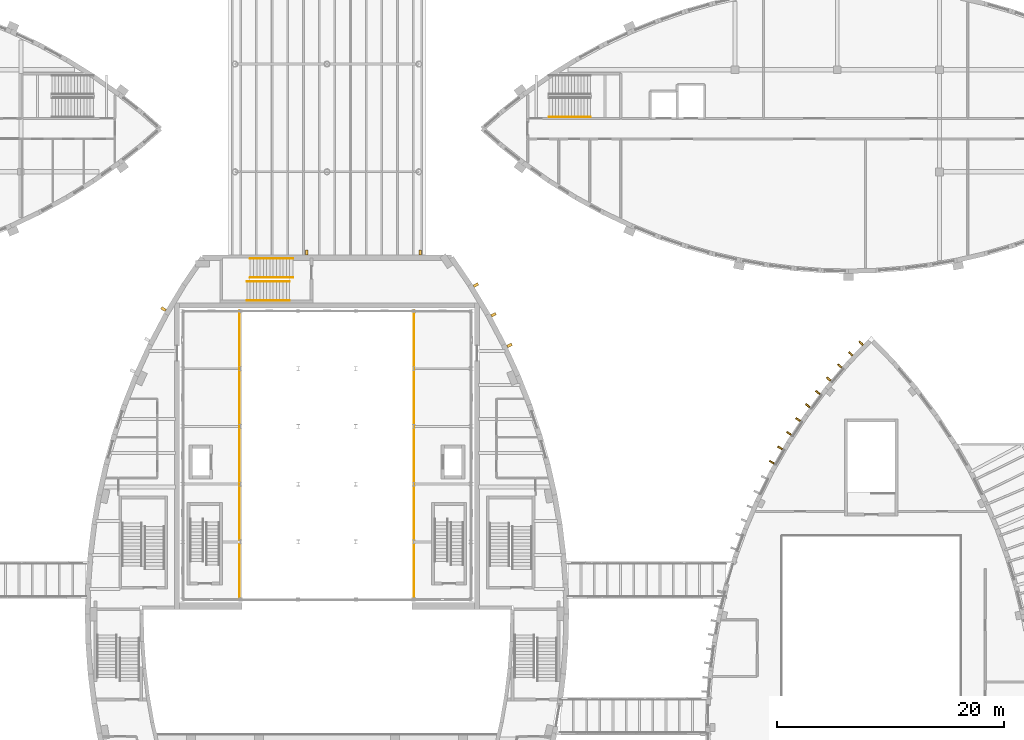
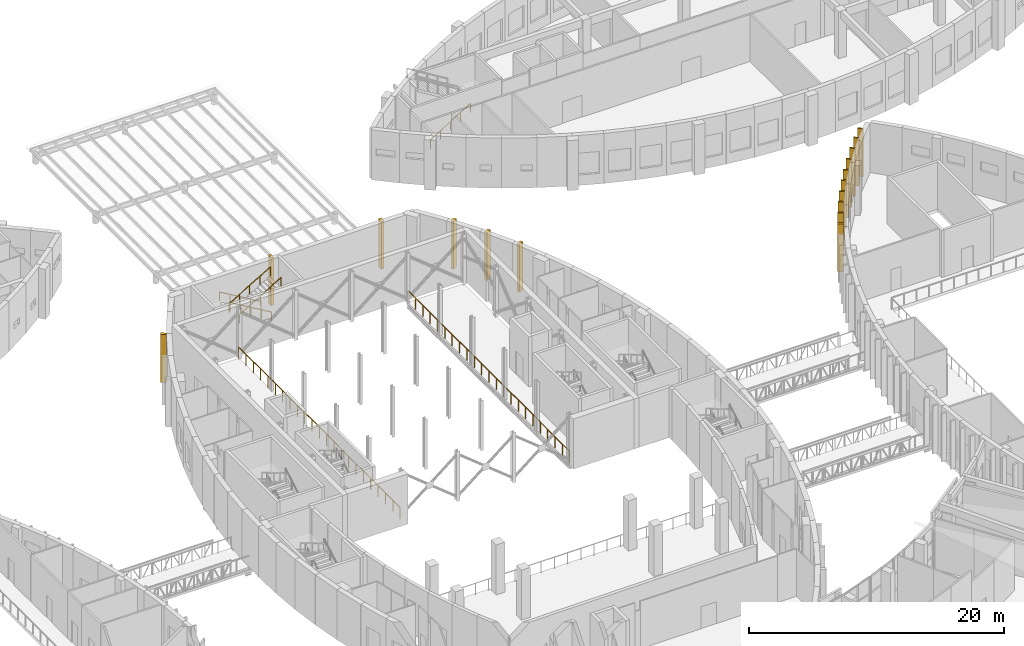
# One storey, part 91 of 93: 16 shading devices, 7 railings.
"""IFC4 building model written with IfcOpenShell, lengths in metres."""

from ifc_helpers import new_model, si_unit, direction, frame, origin, origin_2d, place, context, subcontext, project, spatial, rectangle, circle, extrude, material, layer, layer_set, type_object, element, save


model = new_model("IFC4")

# Units and contexts
model_context = context("Model", 3, precision=1e-05, world=origin(), true_north=direction((0.0, 1.0)))
body_context = subcontext(model_context, "Body", "Model", "MODEL_VIEW")
ifc_project = project(units=[si_unit("LENGTHUNIT", "METRE"), si_unit("AREAUNIT", "SQUARE_METRE"), si_unit("VOLUMEUNIT", "CUBIC_METRE"), si_unit("PLANEANGLEUNIT", "RADIAN"), si_unit("MASSUNIT", "GRAM", prefix="KILO")], contexts=[model_context])

# Site, building, storey
site_placement = place(None, origin())
site = spatial("IfcSite", under=ifc_project, at=site_placement, CompositionType="ELEMENT")
building_placement = place(site_placement, origin())
building = spatial("IfcBuilding", under=site, at=building_placement, Name="Tide Square Theatres", CompositionType="ELEMENT")
storey_placement = place(building_placement, frame((0.0, 0.0, 5.39990234375)))
storey = spatial("IfcBuildingStorey", under=building, at=storey_placement, Name="L01", CompositionType="ELEMENT", Elevation=5.39990234375)

# Shading devices
ifc_material_1 = material(Name="Concrete C40", Category="concrete")
ifc_layer = layer(ifc_material_1, 0.14990234375)
ifc_layer_set = layer_set([ifc_layer], Name="Concrete C40")
shading_device_type = type_object("IfcShadingDeviceType", Name="Concrete fin 450", PredefinedType="USERDEFINED", material=ifc_layer_set)
for number, where, z_axis, x_axis, name in (
    (1, (100.101318359375, 78.6943359375, 0.0), (0.0, 0.0, 1.0), (-0.416344267901, 0.90920704495, 0.0), "Concrete fin"),
    (2, (98.693603515625, 81.395751953125, 0.0), (0.0, 0.0, 1.0), (-0.466757131825, 0.884385538038, 0.0), "Concrete fin"),
    (3, (97.13671875, 84.013671875, 0.0), (0.0, 0.0, 1.0), (-0.515681226646, 0.856780527606, 0.0), "Concrete fin"),
    (4, (92.22412109375, 86.867431640625, 0.0), (0.0, 0.0, 1.0), (-1.0, 0.0, 0.0), "Concrete fin"),
    (5, (82.22412109375, 86.867431640625, 0.0), (0.0, 0.0, 1.0), (-1.0, 0.0, 0.0), "Concrete fin"),
    (6, (69.5849609375, 81.8896484375, 0.0), (0.0, 0.0, 1.0), (-0.515681226646, -0.856780527606, 0.0), "Concrete fin"),
):
    element("IfcShadingDevice", number, at=place(storey_placement, frame(where, z_axis=z_axis, x_axis=x_axis)), inside=storey, type_object=shading_device_type, Name=name, ObjectType="BRISE-SOLEIL FIN", PredefinedType="USERDEFINED", context=body_context, shape_type="SweptSolid", body=[
        extrude(rectangle(XDim=0.25, YDim=0.449951171875, at=origin_2d()), origin(), (0.0, 0.0, 1.0), 4.60009765625),
    ])
for number, where, z_axis, x_axis, name in (
    (7, (131.095458984375, 78.890869140625, 0.0), (0.0, 0.0, 1.0), (-0.696351345115, -0.717701054867, 0.0), "Concrete fin"),
    (8, (130.183349609375, 77.95068359375, 0.0), (0.0, 0.0, 1.0), (-0.696351345115, -0.717701054867, 0.0), "Concrete fin"),
    (9, (129.21044921875, 76.87744140625, 0.0), (0.0, 0.0, 1.0), (-0.649434776644, -0.760417300491, 0.0), "Concrete fin"),
    (10, (128.22998046875, 75.7294921875, 0.0), (0.0, 0.0, 1.0), (-0.649434776644, -0.760417300491, 0.0), "Concrete fin"),
    (11, (127.277099609375, 74.541748046875, 0.0), (0.0, 0.0, 1.0), (-0.600769096416, -0.799422599625, 0.0), "Concrete fin"),
    (12, (126.400390625, 73.375, 0.0), (0.0, 0.0, 1.0), (-0.600769096416, -0.799422599625, 0.0), "Concrete fin"),
    (13, (125.537841796875, 72.151123046875, 0.0), (0.0, 0.0, 1.0), (-0.550611870889, -0.834761383652, 0.0), "Concrete fin"),
    (14, (124.734130859375, 70.9326171875, 0.0), (0.0, 0.0, 1.0), (-0.550611870889, -0.834761383652, 0.0), "Concrete fin"),
    (15, (123.948486328125, 69.658203125, 0.0), (0.0, 0.0, 1.0), (-0.498442348463, -0.866922848504, 0.0), "Concrete fin"),
    (16, (123.220947265625, 68.392578125, 0.0), (0.0, 0.0, 1.0), (-0.498442348463, -0.866922848504, 0.0), "Concrete fin"),
):
    element("IfcShadingDevice", number, at=place(storey_placement, frame(where, z_axis=z_axis, x_axis=x_axis)), inside=storey, type_object=shading_device_type, Name=name, ObjectType="BRISE-SOLEIL FIN", PredefinedType="USERDEFINED", context=body_context, shape_type="SweptSolid", body=[
        extrude(rectangle(XDim=0.14990234375, YDim=0.449951171875, at=origin_2d()), origin(), (0.0, 0.0, 1.0), 4.60009765625),
    ])

# Railings
ifc_material_2 = material(Name="Painted steel", Category="steel")
railing_type_1 = type_object("IfcRailingType", Name="Steel guard 1100", PredefinedType="GUARDRAIL", material=ifc_material_2)
railing_1_placement = place(storey_placement, frame((76.3056640625, 56.3359375, 0.0)))
element("IfcRailing", 17, at=railing_1_placement, inside=storey, type_object=railing_type_1, Name="Fly gallery 01 west guard", PredefinedType="GUARDRAIL", context=body_context, shape_type="SweptSolid", body=[
    extrude(circle(Radius=0.02490234375, at=origin_2d()), frame((0.0, 0.0, 1.0751953125), z_axis=(0.0, 1.0, 0.0), x_axis=(-1.0, 0.0, 0.0)), (0.0, 0.0, 1.0), 25.38818359375),
    extrude(circle(Radius=0.02001953125, at=origin_2d()), origin(), (0.0, 0.0, 1.0), 1.050048828125),
    extrude(circle(Radius=0.02001953125, at=origin_2d()), frame((0.0, 1.154052734375, 0.0)), (0.0, 0.0, 1.0), 1.050048828125),
    extrude(circle(Radius=0.02001953125, at=origin_2d()), frame((0.0, 2.30810546875, 0.0)), (0.0, 0.0, 1.0), 1.050048828125),
    extrude(circle(Radius=0.02001953125, at=origin_2d()), frame((0.0, 3.4619140625, 0.0)), (0.0, 0.0, 1.0), 1.050048828125),
    extrude(circle(Radius=0.02001953125, at=origin_2d()), frame((0.0, 4.615966796875, 0.0)), (0.0, 0.0, 1.0), 1.050048828125),
    extrude(circle(Radius=0.02001953125, at=origin_2d()), frame((0.0, 5.77001953125, 0.0)), (0.0, 0.0, 1.0), 1.050048828125),
    extrude(circle(Radius=0.02001953125, at=origin_2d()), frame((0.0, 6.924072265625, 0.0)), (0.0, 0.0, 1.0), 1.050048828125),
    extrude(circle(Radius=0.02001953125, at=origin_2d()), frame((0.0, 8.078125, 0.0)), (0.0, 0.0, 1.0), 1.050048828125),
    extrude(circle(Radius=0.02001953125, at=origin_2d()), frame((0.0, 9.232177734375, 0.0)), (0.0, 0.0, 1.0), 1.050048828125),
    extrude(circle(Radius=0.02001953125, at=origin_2d()), frame((0.0, 10.385986328125, 0.0)), (0.0, 0.0, 1.0), 1.050048828125),
    extrude(circle(Radius=0.02001953125, at=origin_2d()), frame((0.0, 11.5400390625, 0.0)), (0.0, 0.0, 1.0), 1.050048828125),
    extrude(circle(Radius=0.02001953125, at=origin_2d()), frame((0.0, 12.694091796875, 0.0)), (0.0, 0.0, 1.0), 1.050048828125),
    extrude(circle(Radius=0.02001953125, at=origin_2d()), frame((0.0, 13.84814453125, 0.0)), (0.0, 0.0, 1.0), 1.050048828125),
    extrude(circle(Radius=0.02001953125, at=origin_2d()), frame((0.0, 15.002197265625, 0.0)), (0.0, 0.0, 1.0), 1.050048828125),
    extrude(circle(Radius=0.02001953125, at=origin_2d()), frame((0.0, 16.156005859375, 0.0)), (0.0, 0.0, 1.0), 1.050048828125),
    extrude(circle(Radius=0.02001953125, at=origin_2d()), frame((0.0, 17.31005859375, 0.0)), (0.0, 0.0, 1.0), 1.050048828125),
    extrude(circle(Radius=0.02001953125, at=origin_2d()), frame((0.0, 18.464111328125, 0.0)), (0.0, 0.0, 1.0), 1.050048828125),
    extrude(circle(Radius=0.02001953125, at=origin_2d()), frame((0.0, 19.6181640625, 0.0)), (0.0, 0.0, 1.0), 1.050048828125),
    extrude(circle(Radius=0.02001953125, at=origin_2d()), frame((0.0, 20.772216796875, 0.0)), (0.0, 0.0, 1.0), 1.050048828125),
    extrude(circle(Radius=0.02001953125, at=origin_2d()), frame((0.0, 21.92626953125, 0.0)), (0.0, 0.0, 1.0), 1.050048828125),
    extrude(circle(Radius=0.02001953125, at=origin_2d()), frame((0.0, 23.080078125, 0.0)), (0.0, 0.0, 1.0), 1.050048828125),
    extrude(circle(Radius=0.02001953125, at=origin_2d()), frame((0.0, 24.234130859375, 0.0)), (0.0, 0.0, 1.0), 1.050048828125),
    extrude(circle(Radius=0.02001953125, at=origin_2d()), frame((0.0, 25.38818359375, 0.0)), (0.0, 0.0, 1.0), 1.050048828125),
])
railing_2_placement = place(storey_placement, frame((91.6943359375, 56.3359375, 0.0)))
element("IfcRailing", 18, at=railing_2_placement, inside=storey, type_object=railing_type_1, Name="Fly gallery 01 east guard", PredefinedType="GUARDRAIL", context=body_context, shape_type="SweptSolid", body=[
    extrude(circle(Radius=0.02490234375, at=origin_2d()), frame((0.0, 0.0, 1.0751953125), z_axis=(0.0, 1.0, 0.0), x_axis=(-1.0, 0.0, 0.0)), (0.0, 0.0, 1.0), 25.38818359375),
    extrude(circle(Radius=0.02001953125, at=origin_2d()), origin(), (0.0, 0.0, 1.0), 1.050048828125),
    extrude(circle(Radius=0.02001953125, at=origin_2d()), frame((0.0, 1.154052734375, 0.0)), (0.0, 0.0, 1.0), 1.050048828125),
    extrude(circle(Radius=0.02001953125, at=origin_2d()), frame((0.0, 2.30810546875, 0.0)), (0.0, 0.0, 1.0), 1.050048828125),
    extrude(circle(Radius=0.02001953125, at=origin_2d()), frame((0.0, 3.4619140625, 0.0)), (0.0, 0.0, 1.0), 1.050048828125),
    extrude(circle(Radius=0.02001953125, at=origin_2d()), frame((0.0, 4.615966796875, 0.0)), (0.0, 0.0, 1.0), 1.050048828125),
    extrude(circle(Radius=0.02001953125, at=origin_2d()), frame((0.0, 5.77001953125, 0.0)), (0.0, 0.0, 1.0), 1.050048828125),
    extrude(circle(Radius=0.02001953125, at=origin_2d()), frame((0.0, 6.924072265625, 0.0)), (0.0, 0.0, 1.0), 1.050048828125),
    extrude(circle(Radius=0.02001953125, at=origin_2d()), frame((0.0, 8.078125, 0.0)), (0.0, 0.0, 1.0), 1.050048828125),
    extrude(circle(Radius=0.02001953125, at=origin_2d()), frame((0.0, 9.232177734375, 0.0)), (0.0, 0.0, 1.0), 1.050048828125),
    extrude(circle(Radius=0.02001953125, at=origin_2d()), frame((0.0, 10.385986328125, 0.0)), (0.0, 0.0, 1.0), 1.050048828125),
    extrude(circle(Radius=0.02001953125, at=origin_2d()), frame((0.0, 11.5400390625, 0.0)), (0.0, 0.0, 1.0), 1.050048828125),
    extrude(circle(Radius=0.02001953125, at=origin_2d()), frame((0.0, 12.694091796875, 0.0)), (0.0, 0.0, 1.0), 1.050048828125),
    extrude(circle(Radius=0.02001953125, at=origin_2d()), frame((0.0, 13.84814453125, 0.0)), (0.0, 0.0, 1.0), 1.050048828125),
    extrude(circle(Radius=0.02001953125, at=origin_2d()), frame((0.0, 15.002197265625, 0.0)), (0.0, 0.0, 1.0), 1.050048828125),
    extrude(circle(Radius=0.02001953125, at=origin_2d()), frame((0.0, 16.156005859375, 0.0)), (0.0, 0.0, 1.0), 1.050048828125),
    extrude(circle(Radius=0.02001953125, at=origin_2d()), frame((0.0, 17.31005859375, 0.0)), (0.0, 0.0, 1.0), 1.050048828125),
    extrude(circle(Radius=0.02001953125, at=origin_2d()), frame((0.0, 18.464111328125, 0.0)), (0.0, 0.0, 1.0), 1.050048828125),
    extrude(circle(Radius=0.02001953125, at=origin_2d()), frame((0.0, 19.6181640625, 0.0)), (0.0, 0.0, 1.0), 1.050048828125),
    extrude(circle(Radius=0.02001953125, at=origin_2d()), frame((0.0, 20.772216796875, 0.0)), (0.0, 0.0, 1.0), 1.050048828125),
    extrude(circle(Radius=0.02001953125, at=origin_2d()), frame((0.0, 21.92626953125, 0.0)), (0.0, 0.0, 1.0), 1.050048828125),
    extrude(circle(Radius=0.02001953125, at=origin_2d()), frame((0.0, 23.080078125, 0.0)), (0.0, 0.0, 1.0), 1.050048828125),
    extrude(circle(Radius=0.02001953125, at=origin_2d()), frame((0.0, 24.234130859375, 0.0)), (0.0, 0.0, 1.0), 1.050048828125),
    extrude(circle(Radius=0.02001953125, at=origin_2d()), frame((0.0, 25.38818359375, 0.0)), (0.0, 0.0, 1.0), 1.050048828125),
])
ifc_material_3 = material(Name="Painted steel", Category="steel")
railing_type_2 = type_object("IfcRailingType", Name="Steel handrail 850", PredefinedType="HANDRAIL", material=ifc_material_3)
for number, where, name in (
    (19, (81.0, 86.340087890625, 0.171630859375), "Stair handrail 5"),
    (20, (81.0, 84.659912109375, 0.171630859375), "Stair handrail 5"),
):
    element("IfcRailing", number, at=place(storey_placement, frame(where)), inside=storey, type_object=railing_type_2, Name=name, PredefinedType="HANDRAIL", context=body_context, shape_type="SweptSolid", body=[
        extrude(circle(Radius=0.02490234375, at=origin_2d()), frame((0.0, 0.0, 0.8251953125), z_axis=(-0.860848830602, 0.0, 0.508860777473), x_axis=(0.0, -1.0, 0.0)), (0.0, 0.0, 1.0), 4.37939453125),
        extrude(circle(Radius=0.02001953125, at=origin_2d()), origin(), (0.0, 0.0, 1.0), 0.800048828125),
        extrude(circle(Radius=0.02001953125, at=origin_2d()), frame((-0.9423828125, 0.0, 0.55712890625)), (0.0, 0.0, 1.0), 0.800048828125),
        extrude(circle(Radius=0.02001953125, at=origin_2d()), frame((-1.885009765625, 0.0, 1.1142578125)), (0.0, 0.0, 1.0), 0.800048828125),
        extrude(circle(Radius=0.02001953125, at=origin_2d()), frame((-2.82763671875, 0.0, 1.67138671875)), (0.0, 0.0, 1.0), 0.800048828125),
        extrude(circle(Radius=0.02001953125, at=origin_2d()), frame((-3.77001953125, 0.0, 2.228515625)), (0.0, 0.0, 1.0), 0.800048828125),
    ])
for number, where, name in (
    (21, (76.935302734375, 84.340087890625, 2.571533203125), "Stair handrail 5"),
    (22, (76.935302734375, 82.659912109375, 2.571533203125), "Stair handrail 5"),
):
    element("IfcRailing", number, at=place(storey_placement, frame(where)), inside=storey, type_object=railing_type_2, Name=name, PredefinedType="HANDRAIL", context=body_context, shape_type="SweptSolid", body=[
        extrude(circle(Radius=0.02490234375, at=origin_2d()), frame((0.0, 0.0, 0.8251953125), z_axis=(0.860834394413, 0.0, 0.50888519864), x_axis=(0.0, 1.0, 0.0)), (0.0, 0.0, 1.0), 4.379150390625),
        extrude(circle(Radius=0.02001953125, at=origin_2d()), origin(), (0.0, 0.0, 1.0), 0.800048828125),
        extrude(circle(Radius=0.02001953125, at=origin_2d()), frame((0.9423828125, 0.0, 0.55712890625)), (0.0, 0.0, 1.0), 0.800048828125),
        extrude(circle(Radius=0.02001953125, at=origin_2d()), frame((1.884765625, 0.0, 1.1142578125)), (0.0, 0.0, 1.0), 0.800048828125),
        extrude(circle(Radius=0.02001953125, at=origin_2d()), frame((2.827392578125, 0.0, 1.67138671875)), (0.0, 0.0, 1.0), 0.800048828125),
        extrude(circle(Radius=0.02001953125, at=origin_2d()), frame((3.769775390625, 0.0, 2.228515625)), (0.0, 0.0, 1.0), 0.800048828125),
    ])
railing_3_placement = place(storey_placement, frame((103.60009765625, 98.85009765625, 0.171630859375)))
element("IfcRailing", 23, at=railing_3_placement, inside=storey, type_object=railing_type_2, Name="L01 RST-1 stair handrail 1", PredefinedType="HANDRAIL", context=body_context, shape_type="SweptSolid", body=[
    extrude(circle(Radius=0.02392578125, at=origin_2d()), frame((0.0, 0.0, 0.826171875), z_axis=(0.852850264322, 0.0, 0.5221555579), x_axis=(0.0, 1.0, 0.0)), (0.0, 0.0, 1.0), 4.267822265625),
    extrude(circle(Radius=0.02099609375, at=origin_2d()), origin(), (0.0, 0.0, 1.0), 0.802001953125),
    extrude(circle(Radius=0.02099609375, at=origin_2d()), frame((0.909912109375, 0.0, 0.55712890625)), (0.0, 0.0, 1.0), 0.802001953125),
    extrude(circle(Radius=0.02099609375, at=origin_2d()), frame((1.81982421875, 0.0, 1.1142578125)), (0.0, 0.0, 1.0), 0.802001953125),
    extrude(circle(Radius=0.02099609375, at=origin_2d()), frame((2.72998046875, 0.0, 1.67138671875)), (0.0, 0.0, 1.0), 0.802001953125),
    extrude(circle(Radius=0.02099609375, at=origin_2d()), frame((3.639892578125, 0.0, 2.228515625)), (0.0, 0.0, 1.0), 0.802001953125),
])

save(model, "model.ifc")
